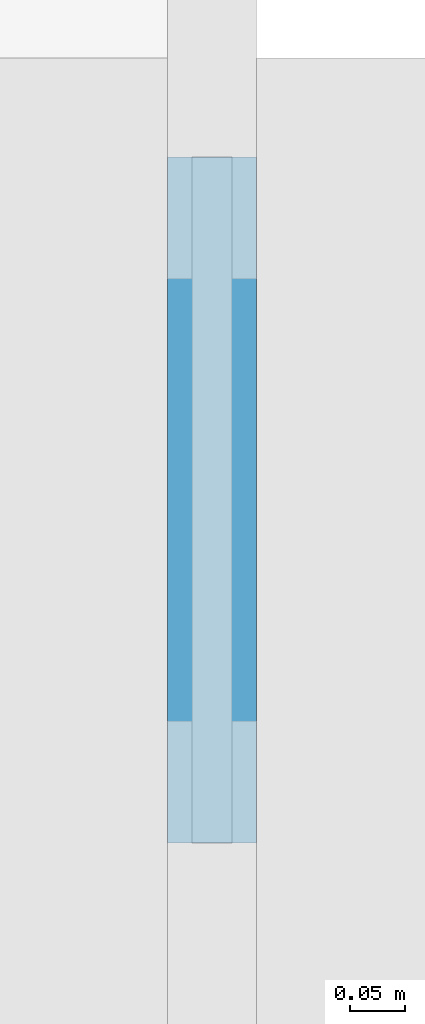
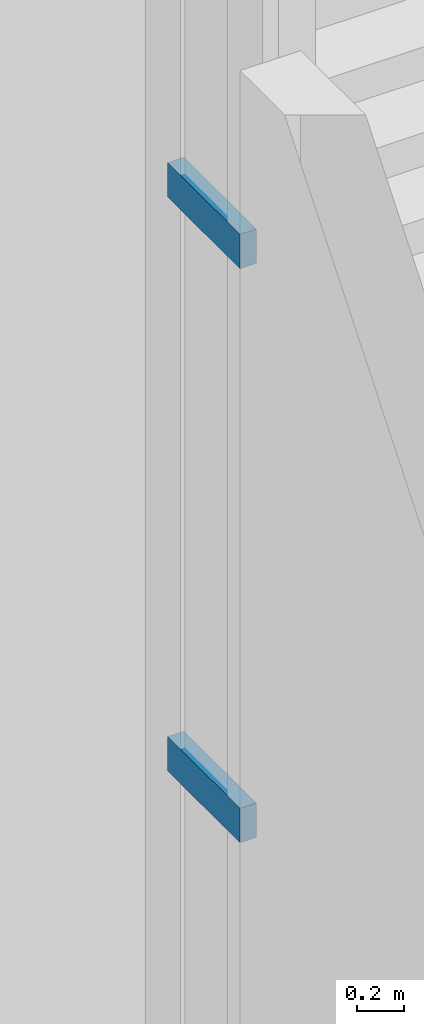
# One storey, part 15 of 52: 2 members, 1 element without a shape of its own.
"""IFC4 building model written with IfcOpenShell, lengths in metres."""

from ifc_helpers import new_model, si_unit, direction, frame, origin, origin_2d, place, context, subcontext, project, spatial, rectangle, extrude, material, material_profile, profile_set, type_object, element, aggregate, save


model = new_model("IFC4")

# Units and contexts
model_context = context("Model", 3, precision=1e-05, world=origin(), true_north=direction((0.0, 1.0)))
body_context = subcontext(model_context, "Body", "Model", "MODEL_VIEW")
ifc_project = project(units=[si_unit("LENGTHUNIT", "METRE"), si_unit("AREAUNIT", "SQUARE_METRE"), si_unit("VOLUMEUNIT", "CUBIC_METRE"), si_unit("PLANEANGLEUNIT", "RADIAN"), si_unit("MASSUNIT", "GRAM", prefix="KILO")], contexts=[model_context])

# Site, building, storey
site_placement = place(None, origin())
site = spatial("IfcSite", under=ifc_project, at=site_placement, CompositionType="ELEMENT")
building_placement = place(site_placement, origin())
building = spatial("IfcBuilding", under=site, at=building_placement, Name="Candeia Pilgrim Tower and Theatre", CompositionType="ELEMENT")
storey_placement = place(building_placement, frame((0.0, 0.0, 9.0)))
storey = spatial("IfcBuildingStorey", under=building, at=storey_placement, Name="L01", CompositionType="ELEMENT", Elevation=9.0)

# Curtain wall, members
ifc_material_1 = material(Name="Aluminium framed podium glazing", Category="aluminium")
curtain_wall_type = type_object("IfcCurtainWallType", Name="CW-P curtain wall", PredefinedType="NOTDEFINED", material=ifc_material_1)
curtain_wall_placement = place(storey_placement, origin())
curtain_wall = element("IfcCurtainWall", 1, at=curtain_wall_placement, inside=storey, type_object=curtain_wall_type, Name="Curtain wall CW-P L01.200", PredefinedType="NOTDEFINED")
ifc_material_2 = material(Name="Anodised aluminium", Category="aluminium")
ifc_material_profile = material_profile(ifc_material_2, rectangle(XDim=0.080078125, YDim=0.179931640625, at=origin_2d()))
ifc_profile_set = profile_set([ifc_material_profile], Name="Anodised aluminium")
member_type = type_object("IfcMemberType", Name="CW-P transom 80x180", PredefinedType="USERDEFINED", material=ifc_profile_set)
member_1_placement = place(storey_placement, frame((159.60009765625, 143.81005859375, 3.0), z_axis=(0.0, -1.0, 0.0), x_axis=(1.0, 0.0, 0.0)))
member_1 = element("IfcMember", 2, at=member_1_placement, type_object=member_type, Name="CW-P transom 1.1", ObjectType="TRANSOM", PredefinedType="USERDEFINED", context=body_context, shape_type="SweptSolid", body=[
    extrude(rectangle(XDim=0.080078125, YDim=0.179931640625, at=origin_2d()), origin(), (0.0, 0.0, 1.0), 0.6201171875),
])
member_2_placement = place(storey_placement, frame((159.60009765625, 143.81005859375, 6.0), z_axis=(0.0, -1.0, 0.0), x_axis=(1.0, 0.0, 0.0)))
member_2 = element("IfcMember", 3, at=member_2_placement, type_object=member_type, Name="CW-P transom 1.2", ObjectType="TRANSOM", PredefinedType="USERDEFINED", context=body_context, shape_type="SweptSolid", body=[
    extrude(rectangle(XDim=0.080078125, YDim=0.179931640625, at=origin_2d()), origin(), (0.0, 0.0, 1.0), 0.6201171875),
])
aggregate(curtain_wall, [member_1, member_2])

save(model, "model.ifc")
